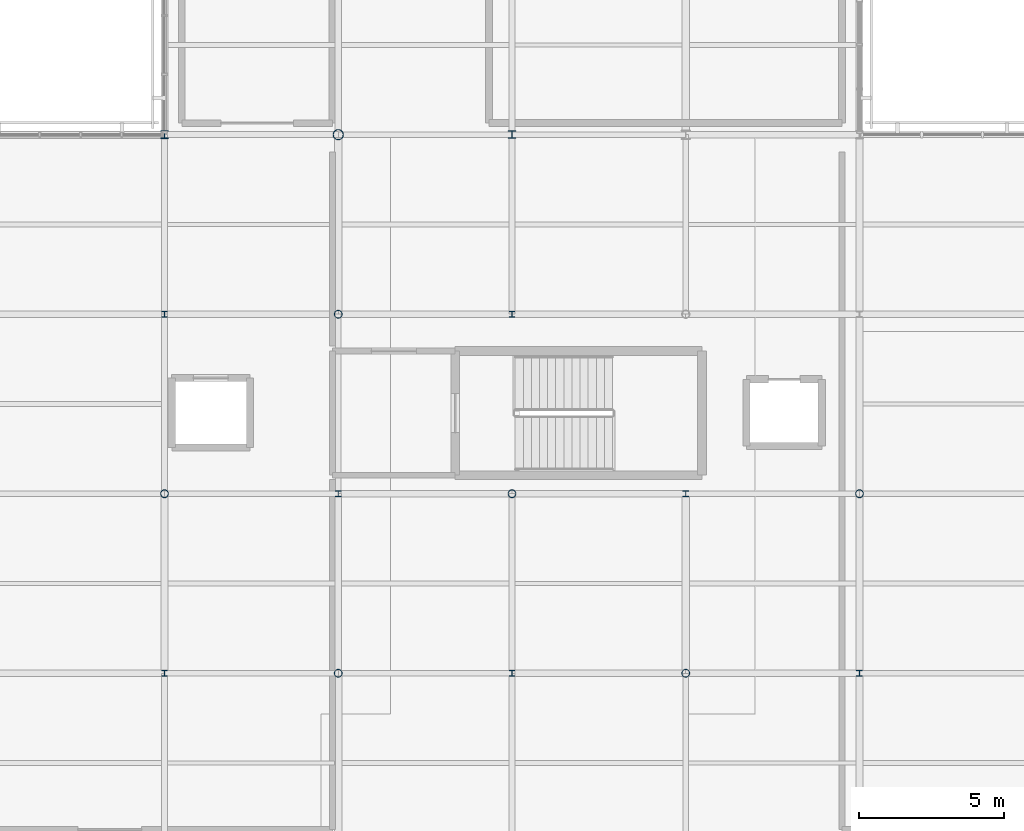
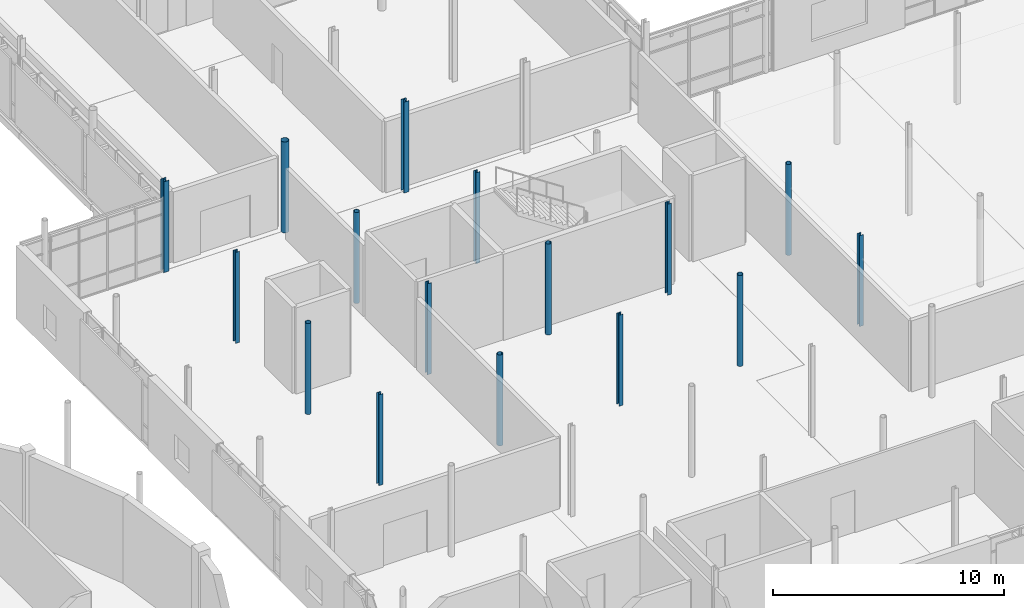
# One storey, part 12 of 66: 16 columns.
"""IFC4 building model written with IfcOpenShell, lengths in metres."""

from ifc_helpers import new_model, si_unit, direction, frame, origin, origin_2d, place, context, subcontext, project, spatial, hollow_circle, i_section, extrude, material, material_profile, profile_set, type_object, element, save


model = new_model("IFC4")

# Units and contexts
model_context = context("Model", 3, precision=1e-05, world=origin(), true_north=direction((0.0, 1.0)))
body_context = subcontext(model_context, "Body", "Model", "MODEL_VIEW")
ifc_project = project(units=[si_unit("LENGTHUNIT", "METRE"), si_unit("AREAUNIT", "SQUARE_METRE"), si_unit("VOLUMEUNIT", "CUBIC_METRE"), si_unit("PLANEANGLEUNIT", "RADIAN"), si_unit("MASSUNIT", "GRAM", prefix="KILO")], contexts=[model_context])

# Site, building, storey
site_placement = place(None, origin())
site = spatial("IfcSite", under=ifc_project, at=site_placement, CompositionType="ELEMENT")
building_placement = place(site_placement, origin())
building = spatial("IfcBuilding", under=site, at=building_placement, Name="Mirzam Square Science Centre", CompositionType="ELEMENT")
storey_placement = place(building_placement, frame((0.0, 0.0, 15.60009765625)))
storey = spatial("IfcBuildingStorey", under=building, at=storey_placement, Name="L03", CompositionType="ELEMENT", Elevation=15.60009765625)

# Columns
ifc_material = material(Name="Steel S355", Category="steel")
ifc_material_profile_1 = material_profile(ifc_material, hollow_circle(Radius=0.136474609375, WallThickness=0.010009765625, at=origin_2d()), Name="273.0x10.0CHS")
ifc_profile_set_1 = profile_set([ifc_material_profile_1], Name="Steel S355")
column_type_1 = type_object("IfcColumnType", Name="COL-CHS273", PredefinedType="COLUMN", material=ifc_profile_set_1)
for number, where, z_axis, x_axis, name in (
    (1, (114.0, 74.39990234375, 0.0), (0.0, 0.0, 1.0), (1.0, 0.0, 0.0), "L03 column G20-13"),
    (2, (120.0, 68.199951171875, 0.0), (0.0, 0.0, 1.0), (1.0, 0.0, 0.0), "L03 column G21-12"),
    (3, (120.0, 80.60009765625, 0.0), (0.0, 0.0, 1.0), (1.0, 0.0, 0.0), "L03 column G21-14"),
    (4, (126.0, 74.39990234375, 0.0), (0.0, 0.0, 1.0), (1.0, 0.0, 0.0), "L03 column G22-13"),
    (5, (132.0, 68.199951171875, 0.0), (0.0, 0.0, 1.0), (1.0, 0.0, 0.0), "L03 column G23-12"),
    (6, (138.0, 74.39990234375, 0.0), (0.0, 0.0, 1.0), (1.0, 0.0, 0.0), "L03 column G24-13"),
):
    element("IfcColumn", number, at=place(storey_placement, frame(where, z_axis=z_axis, x_axis=x_axis)), inside=storey, type_object=column_type_1, Name=name, PredefinedType="COLUMN", context=body_context, shape_type="SweptSolid", body=[
        extrude(hollow_circle(Radius=0.136474609375, WallThickness=0.010009765625, at=origin_2d()), origin(), (0.0, 0.0, 1.0), 4.7998046875),
    ])
ifc_material_profile_2 = material_profile(ifc_material, hollow_circle(Radius=0.177734375, WallThickness=0.012451171875, at=origin_2d()), Name="355.6x12.5CHS")
ifc_profile_set_2 = profile_set([ifc_material_profile_2], Name="Steel S355")
column_type_2 = type_object("IfcColumnType", Name="COL-CHS355", PredefinedType="COLUMN", material=ifc_profile_set_2)
column_1_placement = place(storey_placement, frame((120.0, 86.800048828125, 0.0), z_axis=(0.0, 0.0, 1.0), x_axis=(1.0, 0.0, 0.0)))
element("IfcColumn", 7, at=column_1_placement, inside=storey, type_object=column_type_2, Name="L03 column G21-15", PredefinedType="COLUMN", context=body_context, shape_type="SweptSolid", body=[
    extrude(hollow_circle(Radius=0.177734375, WallThickness=0.012451171875, at=origin_2d()), origin(), (0.0, 0.0, 1.0), 4.7998046875),
])
ifc_material_profile_3 = material_profile(ifc_material, i_section(OverallWidth=0.205810546875, OverallDepth=0.209716796875, WebThickness=0.009521484375, FlangeThickness=0.01416015625, FilletRadius=0.01025390625, at=origin_2d()), Name="203x203x60UC")
ifc_profile_set_3 = profile_set([ifc_material_profile_3], Name="Steel S355")
column_type_3 = type_object("IfcColumnType", Name="COL-UC203A", PredefinedType="COLUMN", material=ifc_profile_set_3)
for number, where, z_axis, x_axis, name in (
    (8, (114.0, 68.199951171875, 0.0), (0.0, 0.0, 1.0), (1.0, 0.0, 0.0), "L03 column G20-12"),
    (9, (114.0, 80.60009765625, 0.0), (0.0, 0.0, 1.0), (1.0, 0.0, 0.0), "L03 column G20-14"),
    (10, (120.0, 74.39990234375, 0.0), (0.0, 0.0, 1.0), (1.0, 0.0, 0.0), "L03 column G21-13"),
    (11, (126.0, 68.199951171875, 0.0), (0.0, 0.0, 1.0), (1.0, 0.0, 0.0), "L03 column G22-12"),
    (12, (126.0, 80.60009765625, 0.0), (0.0, 0.0, 1.0), (1.0, 0.0, 0.0), "L03 column G22-14"),
    (13, (132.0, 74.39990234375, 0.0), (0.0, 0.0, 1.0), (1.0, 0.0, 0.0), "L03 column G23-13"),
    (14, (138.0, 68.199951171875, 0.0), (0.0, 0.0, 1.0), (1.0, 0.0, 0.0), "L03 column G24-12"),
):
    element("IfcColumn", number, at=place(storey_placement, frame(where, z_axis=z_axis, x_axis=x_axis)), inside=storey, type_object=column_type_3, Name=name, PredefinedType="COLUMN", context=body_context, shape_type="SweptSolid", body=[
        extrude(i_section(OverallWidth=0.205810546875, OverallDepth=0.209716796875, WebThickness=0.009521484375, FlangeThickness=0.01416015625, FilletRadius=0.01025390625, at=origin_2d()), origin(), (0.0, 0.0, 1.0), 4.7998046875),
    ])
ifc_material_profile_4 = material_profile(ifc_material, i_section(OverallWidth=0.25634765625, OverallDepth=0.26025390625, WebThickness=0.01025390625, FlangeThickness=0.017333984375, FilletRadius=0.0126953125, at=origin_2d()), Name="254x254x89UC")
ifc_profile_set_4 = profile_set([ifc_material_profile_4], Name="Steel S355")
column_type_4 = type_object("IfcColumnType", Name="COL-UC254A", PredefinedType="COLUMN", material=ifc_profile_set_4)
column_2_placement = place(storey_placement, frame((126.0, 86.800048828125, 0.0), z_axis=(0.0, 0.0, 1.0), x_axis=(1.0, 0.0, 0.0)))
element("IfcColumn", 15, at=column_2_placement, inside=storey, type_object=column_type_4, Name="L03 column G22-15", PredefinedType="COLUMN", context=body_context, shape_type="SweptSolid", body=[
    extrude(i_section(OverallWidth=0.25634765625, OverallDepth=0.26025390625, WebThickness=0.01025390625, FlangeThickness=0.017333984375, FilletRadius=0.0126953125, at=origin_2d()), origin(), (0.0, 0.0, 1.0), 4.7998046875),
])
ifc_material_profile_5 = material_profile(ifc_material, i_section(OverallWidth=0.26123046875, OverallDepth=0.2763671875, WebThickness=0.015380859375, FlangeThickness=0.025390625, FilletRadius=0.0126953125, at=origin_2d()), Name="254x254x132UC")
ifc_profile_set_5 = profile_set([ifc_material_profile_5], Name="Steel S355")
column_type_5 = type_object("IfcColumnType", Name="COL-UC254B", PredefinedType="COLUMN", material=ifc_profile_set_5)
column_3_placement = place(storey_placement, frame((114.0, 86.800048828125, 0.0), z_axis=(0.0, 0.0, 1.0), x_axis=(1.0, 0.0, 0.0)))
element("IfcColumn", 16, at=column_3_placement, inside=storey, type_object=column_type_5, Name="L03 column G20-15", PredefinedType="COLUMN", context=body_context, shape_type="SweptSolid", body=[
    extrude(i_section(OverallWidth=0.26123046875, OverallDepth=0.2763671875, WebThickness=0.015380859375, FlangeThickness=0.025390625, FilletRadius=0.0126953125, at=origin_2d()), origin(), (0.0, 0.0, 1.0), 4.7998046875),
])

save(model, "model.ifc")
